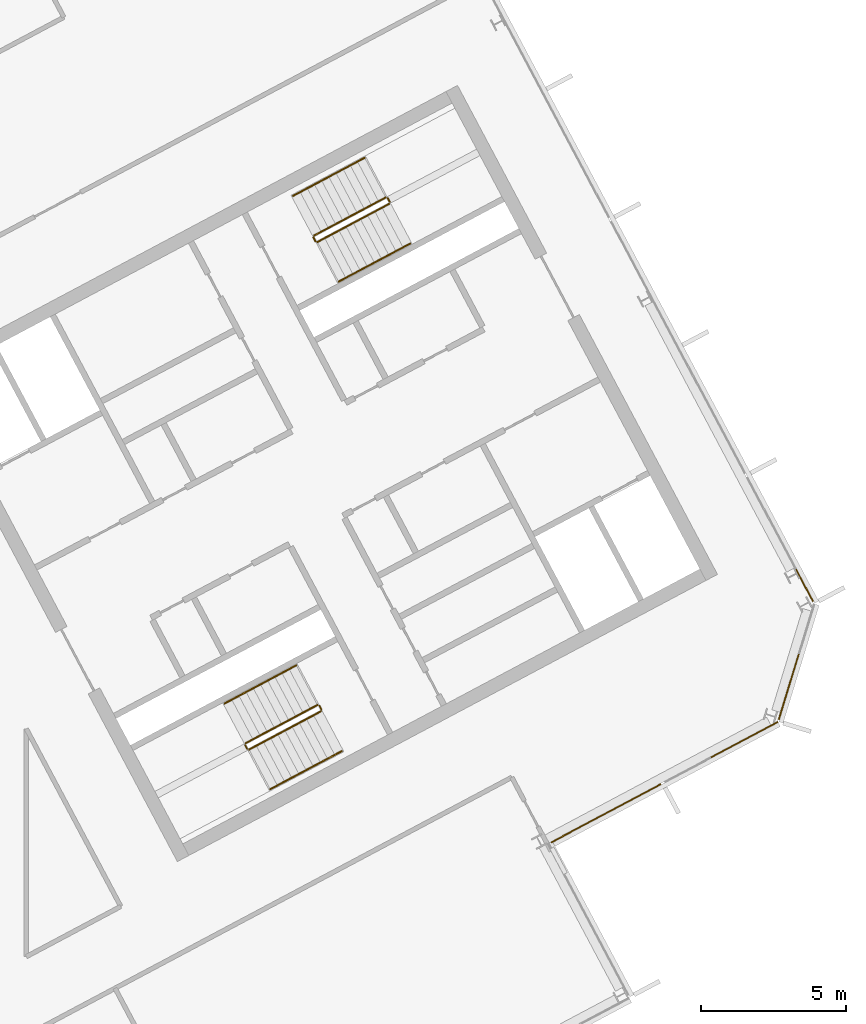
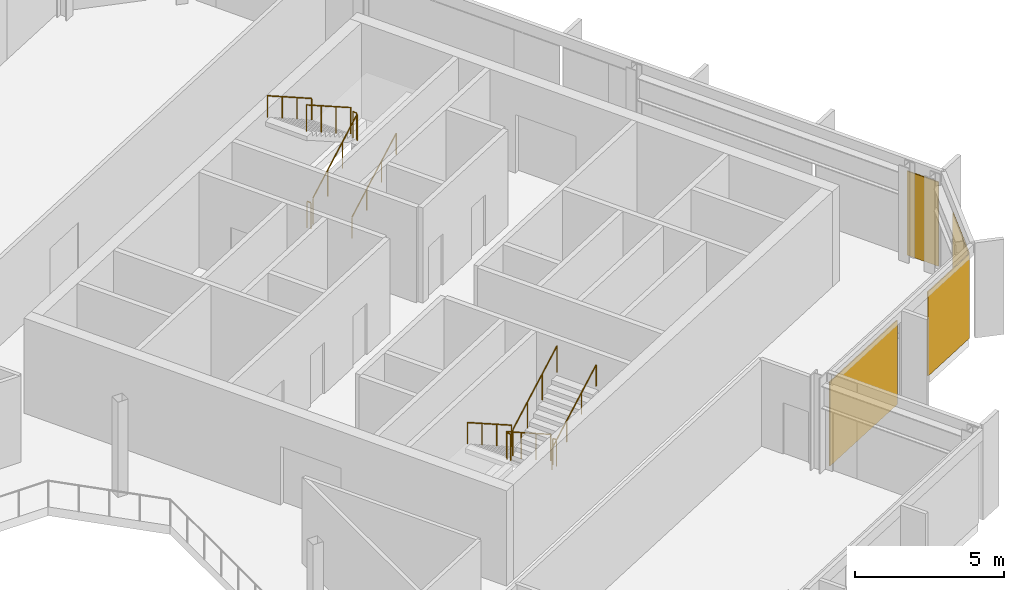
# One storey, part 24 of 25: 12 railings, 4 coverings, 3 elements without a shape of their own.
"""IFC4 building model written with IfcOpenShell, lengths in metres."""

from ifc_helpers import new_model, si_unit, direction, frame, origin, origin_2d, place, context, subcontext, project, spatial, polyline, rectangle, outline, extrude, material, layer, layer_set, type_object, element, aggregate, save


model = new_model("IFC4")

# Units and contexts
model_context = context("Model", 3, precision=1e-05, world=origin(), true_north=direction((0.0, 1.0)))
body_context = subcontext(model_context, "Body", "Model", "MODEL_VIEW")
ifc_project = project(units=[si_unit("LENGTHUNIT", "METRE"), si_unit("AREAUNIT", "SQUARE_METRE"), si_unit("VOLUMEUNIT", "CUBIC_METRE"), si_unit("PLANEANGLEUNIT", "RADIAN"), si_unit("MASSUNIT", "GRAM", prefix="KILO")], contexts=[model_context])

# Site, building, storey
site_placement = place(None, origin())
site = spatial("IfcSite", under=ifc_project, at=site_placement, CompositionType="ELEMENT")
building_placement = place(site_placement, origin())
building = spatial("IfcBuilding", under=site, at=building_placement, Name="Cormorant Relay Tower", CompositionType="ELEMENT")
storey_placement = place(building_placement, frame((0.0, 0.0, 297.0)))
storey = spatial("IfcBuildingStorey", under=building, at=storey_placement, Name="L67", CompositionType="ELEMENT", Elevation=297.0)

# Curtain wall, coverings
ifc_material_1 = material(Name="Aluminium 6063-T6 anodised bronze", Category="aluminium")
ifc_layer_1 = layer(ifc_material_1, 0.199951171875)
ifc_layer_set_1 = layer_set([ifc_layer_1], Name="CW1 unitised bronze curtain wall with vertical fins")
curtain_wall_type = type_object("IfcCurtainWallType", Name="CW1 unitised bronze curtain wall with vertical fins", PredefinedType="NOTDEFINED", material=ifc_layer_set_1)
curtain_wall_1_placement = place(storey_placement, origin())
curtain_wall_1 = element("IfcCurtainWall", 1, at=curtain_wall_1_placement, inside=storey, type_object=curtain_wall_type, Name="CW1 curtain wall 4", PredefinedType="NOTDEFINED")
ifc_material_2 = material(Name="Pale bronze anodised aluminium insulated panel", Category="aluminium")
ifc_layer_2 = layer(ifc_material_2, 0.0400390625)
ifc_layer_set_2 = layer_set([ifc_layer_2], Name="CW1 pale bronze insulated panel 40")
covering_type = type_object("IfcCoveringType", Name="CW1 pale bronze insulated panel 40", PredefinedType="CLADDING", material=ifc_layer_set_2)
covering_1_placement = place(storey_placement, frame((33.793701171875, 0.957275390625, 0.0), z_axis=(0.0, 0.0, 1.0), x_axis=(0.882947592859, 0.469471562786, 0.0)))
covering_1 = element("IfcCovering", 2, at=covering_1_placement, type_object=covering_type, Name="CW1 panel S00", PredefinedType="CLADDING", context=body_context, shape_type="SweptSolid", body=[
    extrude(rectangle(XDim=4.27490234375, YDim=0.0400390625, at=origin_2d()), origin(), (0.0, 0.0, 1.0), 3.449951171875),
])
covering_2_placement = place(storey_placement, frame((38.561767578125, 3.492431640625, 0.0), z_axis=(0.0, 0.0, 1.0), x_axis=(0.882947592859, 0.469471562786, 0.0)))
covering_2 = element("IfcCovering", 3, at=covering_2_placement, type_object=covering_type, Name="CW1 panel S02", PredefinedType="CLADDING", context=body_context, shape_type="SweptSolid", body=[
    extrude(rectangle(XDim=2.625, YDim=0.0400390625, at=origin_2d()), origin(), (0.0, 0.0, 1.0), 3.449951171875),
])
aggregate(curtain_wall_1, [covering_1, covering_2])

# Curtain wall, covering
curtain_wall_2_placement = place(storey_placement, origin())
curtain_wall_2 = element("IfcCurtainWall", 4, at=curtain_wall_2_placement, inside=storey, type_object=curtain_wall_type, Name="CW1 curtain wall 5", PredefinedType="NOTDEFINED")
covering_3_placement = place(storey_placement, frame((40.098388671875, 5.32421875, 0.0), z_axis=(0.0, 0.0, 1.0), x_axis=(0.292371704723, 0.956304755963, 0.0)))
covering_3 = element("IfcCovering", 5, at=covering_3_placement, type_object=covering_type, Name="CW1 panel S00", PredefinedType="CLADDING", context=body_context, shape_type="SweptSolid", body=[
    extrude(rectangle(XDim=2.36767578125, YDim=0.0400390625, at=origin_2d()), origin(), (0.0, 0.0, 1.0), 3.449951171875),
])
aggregate(curtain_wall_2, [covering_3])

curtain_wall_3_placement = place(storey_placement, origin())
curtain_wall_3 = element("IfcCurtainWall", 6, at=curtain_wall_3_placement, inside=storey, type_object=curtain_wall_type, Name="CW1 curtain wall 6", PredefinedType="NOTDEFINED")
covering_4_placement = place(storey_placement, frame((40.640625, 8.810791015625, 0.0), z_axis=(0.0, 0.0, 1.0), x_axis=(-0.469471562786, 0.882947592859, 0.0)))
covering_4 = element("IfcCovering", 7, at=covering_4_placement, type_object=covering_type, Name="CW1 panel S00", PredefinedType="CLADDING", context=body_context, shape_type="SweptSolid", body=[
    extrude(rectangle(XDim=1.25, YDim=0.0400390625, at=origin_2d()), origin(), (0.0, 0.0, 1.0), 3.449951171875),
])
aggregate(curtain_wall_3, [covering_4])

# Railings
ifc_material_3 = material(Name="Steel ASTM A572 Grade 50 (Fy 345 MPa)", Category="steel")
railing_type_1 = type_object("IfcRailingType", Name="Stair guard 1100", PredefinedType="GUARDRAIL", material=ifc_material_3)
railing_1_placement = place(storey_placement, frame((23.83837890625, 4.6904296875, 0.17724609375)))
element("IfcRailing", 8, at=railing_1_placement, inside=storey, type_object=railing_type_1, Name="L67 B1 stair guard 1", PredefinedType="GUARDRAIL", context=body_context, shape_type="SweptSolid", body=[
    extrude(outline(polyline([(0.022216796875, 0.00927734375), (0.00927734375, 0.022216796875), (-0.00927734375, 0.022216796875), (-0.022216796875, 0.00927734375), (-0.022216796875, -0.00927734375), (-0.00927734375, -0.022216796875), (0.00927734375, -0.022216796875), (0.022216796875, -0.00927734375), (0.022216796875, 0.00927734375)])), frame((0.0, 0.0, 1.076171875), z_axis=(-0.746033882577, -0.396627473466, 0.534901947407), x_axis=(0.469429322983, -0.882970050864, 0.0)), (0.0, 0.0, 1.0), 3.31396484375),
    extrude(outline(polyline([(0.019287109375, 0.008056640625), (0.008056640625, 0.019287109375), (-0.008056640625, 0.019287109375), (-0.019287109375, 0.008056640625), (-0.019287109375, -0.008056640625), (-0.008056640625, -0.019287109375), (0.008056640625, -0.019287109375), (0.019287109375, -0.008056640625), (0.019287109375, 0.008056640625)])), origin(), (0.0, 0.0, 1.0), 1.052001953125),
    extrude(outline(polyline([(0.019287109375, 0.008056640625), (0.008056640625, 0.019287109375), (-0.008056640625, 0.019287109375), (-0.019287109375, 0.008056640625), (-0.019287109375, -0.008056640625), (-0.008056640625, -0.019287109375), (0.008056640625, -0.019287109375), (0.019287109375, -0.008056640625), (0.019287109375, 0.008056640625)])), frame((-0.82421875, -0.438232421875, 0.5908203125)), (0.0, 0.0, 1.0), 1.052001953125),
    extrude(outline(polyline([(0.019287109375, 0.008056640625), (0.008056640625, 0.019287109375), (-0.008056640625, 0.019287109375), (-0.019287109375, 0.008056640625), (-0.019287109375, -0.008056640625), (-0.008056640625, -0.019287109375), (0.008056640625, -0.019287109375), (0.019287109375, -0.008056640625), (0.019287109375, 0.008056640625)])), frame((-1.648193359375, -0.876220703125, 1.181884765625)), (0.0, 0.0, 1.0), 1.052001953125),
    extrude(outline(polyline([(0.019287109375, 0.008056640625), (0.008056640625, 0.019287109375), (-0.008056640625, 0.019287109375), (-0.019287109375, 0.008056640625), (-0.019287109375, -0.008056640625), (-0.008056640625, -0.019287109375), (0.008056640625, -0.019287109375), (0.019287109375, -0.008056640625), (0.019287109375, 0.008056640625)])), frame((-2.472412109375, -1.314453125, 1.772705078125)), (0.0, 0.0, 1.0), 1.052001953125),
])
railing_2_placement = place(storey_placement, frame((21.345458984375, 3.308349609375, 1.949951171875)))
element("IfcRailing", 9, at=railing_2_placement, inside=storey, type_object=railing_type_1, Name="L67 B1 stair guard 2", PredefinedType="GUARDRAIL", context=body_context, shape_type="SweptSolid", body=[
    extrude(outline(polyline([(0.022216796875, 0.00927734375), (0.00927734375, 0.022216796875), (-0.00927734375, 0.022216796875), (-0.022216796875, 0.00927734375), (-0.022216796875, -0.00927734375), (-0.00927734375, -0.022216796875), (0.00927734375, -0.022216796875), (0.022216796875, -0.00927734375), (0.022216796875, 0.00927734375)])), frame((0.0, 0.0, 1.076171875), z_axis=(0.46856034887, -0.8834314911, 0.0), x_axis=(0.8834314911, 0.46856034887, 0.0)), (0.0, 0.0, 1.0), 0.150146484375),
    extrude(outline(polyline([(0.019287109375, 0.008056640625), (0.008056640625, 0.019287109375), (-0.008056640625, 0.019287109375), (-0.019287109375, 0.008056640625), (-0.019287109375, -0.008056640625), (-0.008056640625, -0.019287109375), (0.008056640625, -0.019287109375), (0.019287109375, -0.008056640625), (0.019287109375, 0.008056640625)])), origin(), (0.0, 0.0, 1.0), 1.052001953125),
    extrude(outline(polyline([(0.019287109375, 0.008056640625), (0.008056640625, 0.019287109375), (-0.008056640625, 0.019287109375), (-0.019287109375, 0.008056640625), (-0.019287109375, -0.008056640625), (-0.008056640625, -0.019287109375), (0.008056640625, -0.019287109375), (0.019287109375, -0.008056640625), (0.019287109375, 0.008056640625)])), frame((0.0703125, -0.132568359375, 0.0)), (0.0, 0.0, 1.0), 1.052001953125),
])
railing_3_placement = place(storey_placement, frame((21.4833984375, 3.1552734375, 2.127197265625)))
element("IfcRailing", 10, at=railing_3_placement, inside=storey, type_object=railing_type_1, Name="L67 B1 stair guard 3", PredefinedType="GUARDRAIL", context=body_context, shape_type="SweptSolid", body=[
    extrude(outline(polyline([(0.022216796875, 0.00927734375), (0.00927734375, 0.022216796875), (-0.00927734375, 0.022216796875), (-0.022216796875, 0.00927734375), (-0.022216796875, -0.00927734375), (-0.00927734375, -0.022216796875), (0.00927734375, -0.022216796875), (0.022216796875, -0.00927734375), (0.022216796875, 0.00927734375)])), frame((0.0, 0.0, 1.076171875), z_axis=(0.746001213114, 0.396649272309, 0.534931345884), x_axis=(-0.469465464807, 0.882950835185, 0.0)), (0.0, 0.0, 1.0), 3.31396484375),
    extrude(outline(polyline([(0.019287109375, 0.008056640625), (0.008056640625, 0.019287109375), (-0.008056640625, 0.019287109375), (-0.019287109375, 0.008056640625), (-0.019287109375, -0.008056640625), (-0.008056640625, -0.019287109375), (0.008056640625, -0.019287109375), (0.019287109375, -0.008056640625), (0.019287109375, 0.008056640625)])), origin(), (0.0, 0.0, 1.0), 1.052001953125),
    extrude(outline(polyline([(0.019287109375, 0.008056640625), (0.008056640625, 0.019287109375), (-0.008056640625, 0.019287109375), (-0.019287109375, 0.008056640625), (-0.019287109375, -0.008056640625), (-0.008056640625, -0.019287109375), (0.008056640625, -0.019287109375), (0.019287109375, -0.008056640625), (0.019287109375, 0.008056640625)])), frame((0.823974609375, 0.438232421875, 0.5908203125)), (0.0, 0.0, 1.0), 1.052001953125),
    extrude(outline(polyline([(0.019287109375, 0.008056640625), (0.008056640625, 0.019287109375), (-0.008056640625, 0.019287109375), (-0.019287109375, 0.008056640625), (-0.019287109375, -0.008056640625), (-0.008056640625, -0.019287109375), (0.008056640625, -0.019287109375), (0.019287109375, -0.008056640625), (0.019287109375, 0.008056640625)])), frame((1.648193359375, 0.876220703125, 1.181884765625)), (0.0, 0.0, 1.0), 1.052001953125),
    extrude(outline(polyline([(0.019287109375, 0.008056640625), (0.008056640625, 0.019287109375), (-0.008056640625, 0.019287109375), (-0.019287109375, 0.008056640625), (-0.019287109375, -0.008056640625), (-0.008056640625, -0.019287109375), (0.008056640625, -0.019287109375), (0.019287109375, -0.008056640625), (0.019287109375, 0.008056640625)])), frame((2.47216796875, 1.314453125, 1.772705078125)), (0.0, 0.0, 1.0), 1.052001953125),
])
railing_4_placement = place(storey_placement, frame((23.906005859375, 4.669677734375, 0.0)))
element("IfcRailing", 11, at=railing_4_placement, inside=storey, type_object=railing_type_1, Name="L67 B1 stair guard 4", PredefinedType="GUARDRAIL", context=body_context, shape_type="SweptSolid", body=[
    extrude(outline(polyline([(0.022216796875, 0.00927734375), (0.00927734375, 0.022216796875), (-0.00927734375, 0.022216796875), (-0.022216796875, 0.00927734375), (-0.022216796875, -0.00927734375), (-0.00927734375, -0.022216796875), (0.00927734375, -0.022216796875), (0.022216796875, -0.00927734375), (0.022216796875, 0.00927734375)])), frame((0.0, 0.0, 1.076171875), z_axis=(0.469234640946, -0.883073525669, 0.0), x_axis=(0.883073525669, 0.469234640946, 0.0)), (0.0, 0.0, 1.0), 0.14990234375),
    extrude(outline(polyline([(0.019287109375, 0.008056640625), (0.008056640625, 0.019287109375), (-0.008056640625, 0.019287109375), (-0.019287109375, 0.008056640625), (-0.019287109375, -0.008056640625), (-0.008056640625, -0.019287109375), (0.008056640625, -0.019287109375), (0.019287109375, -0.008056640625), (0.019287109375, 0.008056640625)])), origin(), (0.0, 0.0, 1.0), 1.052001953125),
    extrude(outline(polyline([(0.019287109375, 0.008056640625), (0.008056640625, 0.019287109375), (-0.008056640625, 0.019287109375), (-0.019287109375, 0.008056640625), (-0.019287109375, -0.008056640625), (-0.008056640625, -0.019287109375), (0.008056640625, -0.019287109375), (0.019287109375, -0.008056640625), (0.019287109375, 0.008056640625)])), frame((0.0703125, -0.13232421875, 0.0)), (0.0, 0.0, 1.0), 1.052001953125),
])
railing_5_placement = place(storey_placement, frame((23.8408203125, 20.6611328125, 0.17724609375)))
element("IfcRailing", 12, at=railing_5_placement, inside=storey, type_object=railing_type_1, Name="L67 B2 stair guard 1", PredefinedType="GUARDRAIL", context=body_context, shape_type="SweptSolid", body=[
    extrude(outline(polyline([(0.022216796875, 0.00927734375), (0.00927734375, 0.022216796875), (-0.00927734375, 0.022216796875), (-0.022216796875, 0.00927734375), (-0.022216796875, -0.00927734375), (-0.00927734375, -0.022216796875), (0.00927734375, -0.022216796875), (0.022216796875, -0.00927734375), (0.022216796875, 0.00927734375)])), frame((0.0, 0.0, 1.076171875), z_axis=(0.746033882577, 0.396627473466, 0.534901947407), x_axis=(-0.469429322983, 0.882970050864, 0.0)), (0.0, 0.0, 1.0), 3.31396484375),
    extrude(outline(polyline([(0.019287109375, 0.008056640625), (0.008056640625, 0.019287109375), (-0.008056640625, 0.019287109375), (-0.019287109375, 0.008056640625), (-0.019287109375, -0.008056640625), (-0.008056640625, -0.019287109375), (0.008056640625, -0.019287109375), (0.019287109375, -0.008056640625), (0.019287109375, 0.008056640625)])), origin(), (0.0, 0.0, 1.0), 1.052001953125),
    extrude(outline(polyline([(0.019287109375, 0.008056640625), (0.008056640625, 0.019287109375), (-0.008056640625, 0.019287109375), (-0.019287109375, 0.008056640625), (-0.019287109375, -0.008056640625), (-0.008056640625, -0.019287109375), (0.008056640625, -0.019287109375), (0.019287109375, -0.008056640625), (0.019287109375, 0.008056640625)])), frame((0.82421875, 0.438232421875, 0.5908203125)), (0.0, 0.0, 1.0), 1.052001953125),
    extrude(outline(polyline([(0.019287109375, 0.008056640625), (0.008056640625, 0.019287109375), (-0.008056640625, 0.019287109375), (-0.019287109375, 0.008056640625), (-0.019287109375, -0.008056640625), (-0.008056640625, -0.019287109375), (0.008056640625, -0.019287109375), (0.019287109375, -0.008056640625), (0.019287109375, 0.008056640625)])), frame((1.648193359375, 0.876220703125, 1.181884765625)), (0.0, 0.0, 1.0), 1.052001953125),
    extrude(outline(polyline([(0.019287109375, 0.008056640625), (0.008056640625, 0.019287109375), (-0.008056640625, 0.019287109375), (-0.019287109375, 0.008056640625), (-0.019287109375, -0.008056640625), (-0.008056640625, -0.019287109375), (0.008056640625, -0.019287109375), (0.019287109375, -0.008056640625), (0.019287109375, 0.008056640625)])), frame((2.472412109375, 1.314453125, 1.772705078125)), (0.0, 0.0, 1.0), 1.052001953125),
])
railing_6_placement = place(storey_placement, frame((26.333740234375, 22.043212890625, 1.949951171875)))
element("IfcRailing", 13, at=railing_6_placement, inside=storey, type_object=railing_type_1, Name="L67 B2 stair guard 2", PredefinedType="GUARDRAIL", context=body_context, shape_type="SweptSolid", body=[
    extrude(outline(polyline([(0.022216796875, 0.00927734375), (0.00927734375, 0.022216796875), (-0.00927734375, 0.022216796875), (-0.022216796875, 0.00927734375), (-0.022216796875, -0.00927734375), (-0.00927734375, -0.022216796875), (0.00927734375, -0.022216796875), (0.022216796875, -0.00927734375), (0.022216796875, 0.00927734375)])), frame((0.0, 0.0, 1.076171875), z_axis=(-0.469234640946, 0.883073525669, 0.0), x_axis=(-0.883073525669, -0.469234640946, 0.0)), (0.0, 0.0, 1.0), 0.14990234375),
    extrude(outline(polyline([(0.019287109375, 0.008056640625), (0.008056640625, 0.019287109375), (-0.008056640625, 0.019287109375), (-0.019287109375, 0.008056640625), (-0.019287109375, -0.008056640625), (-0.008056640625, -0.019287109375), (0.008056640625, -0.019287109375), (0.019287109375, -0.008056640625), (0.019287109375, 0.008056640625)])), origin(), (0.0, 0.0, 1.0), 1.052001953125),
    extrude(outline(polyline([(0.019287109375, 0.008056640625), (0.008056640625, 0.019287109375), (-0.008056640625, 0.019287109375), (-0.019287109375, 0.008056640625), (-0.019287109375, -0.008056640625), (-0.008056640625, -0.019287109375), (0.008056640625, -0.019287109375), (0.019287109375, -0.008056640625), (0.019287109375, 0.008056640625)])), frame((-0.0703125, 0.13232421875, 0.0)), (0.0, 0.0, 1.0), 1.052001953125),
])
railing_7_placement = place(storey_placement, frame((26.19580078125, 22.1962890625, 2.127197265625)))
element("IfcRailing", 14, at=railing_7_placement, inside=storey, type_object=railing_type_1, Name="L67 B2 stair guard 3", PredefinedType="GUARDRAIL", context=body_context, shape_type="SweptSolid", body=[
    extrude(outline(polyline([(0.022216796875, 0.00927734375), (0.00927734375, 0.022216796875), (-0.00927734375, 0.022216796875), (-0.022216796875, 0.00927734375), (-0.022216796875, -0.00927734375), (-0.00927734375, -0.022216796875), (0.00927734375, -0.022216796875), (0.022216796875, -0.00927734375), (0.022216796875, 0.00927734375)])), frame((0.0, 0.0, 1.076171875), z_axis=(-0.746033882577, -0.396627473466, 0.534901947407), x_axis=(0.469429322983, -0.882970050864, 0.0)), (0.0, 0.0, 1.0), 3.31396484375),
    extrude(outline(polyline([(0.019287109375, 0.008056640625), (0.008056640625, 0.019287109375), (-0.008056640625, 0.019287109375), (-0.019287109375, 0.008056640625), (-0.019287109375, -0.008056640625), (-0.008056640625, -0.019287109375), (0.008056640625, -0.019287109375), (0.019287109375, -0.008056640625), (0.019287109375, 0.008056640625)])), origin(), (0.0, 0.0, 1.0), 1.052001953125),
    extrude(outline(polyline([(0.019287109375, 0.008056640625), (0.008056640625, 0.019287109375), (-0.008056640625, 0.019287109375), (-0.019287109375, 0.008056640625), (-0.019287109375, -0.008056640625), (-0.008056640625, -0.019287109375), (0.008056640625, -0.019287109375), (0.019287109375, -0.008056640625), (0.019287109375, 0.008056640625)])), frame((-0.82421875, -0.438232421875, 0.5908203125)), (0.0, 0.0, 1.0), 1.052001953125),
    extrude(outline(polyline([(0.019287109375, 0.008056640625), (0.008056640625, 0.019287109375), (-0.008056640625, 0.019287109375), (-0.019287109375, 0.008056640625), (-0.019287109375, -0.008056640625), (-0.008056640625, -0.019287109375), (0.008056640625, -0.019287109375), (0.019287109375, -0.008056640625), (0.019287109375, 0.008056640625)])), frame((-1.648193359375, -0.876220703125, 1.181884765625)), (0.0, 0.0, 1.0), 1.052001953125),
    extrude(outline(polyline([(0.019287109375, 0.008056640625), (0.008056640625, 0.019287109375), (-0.008056640625, 0.019287109375), (-0.019287109375, 0.008056640625), (-0.019287109375, -0.008056640625), (-0.008056640625, -0.019287109375), (0.008056640625, -0.019287109375), (0.019287109375, -0.008056640625), (0.019287109375, 0.008056640625)])), frame((-2.472412109375, -1.314453125, 1.772705078125)), (0.0, 0.0, 1.0), 1.052001953125),
])
railing_8_placement = place(storey_placement, frame((23.773193359375, 20.681640625, 0.0)))
element("IfcRailing", 15, at=railing_8_placement, inside=storey, type_object=railing_type_1, Name="L67 B2 stair guard 4", PredefinedType="GUARDRAIL", context=body_context, shape_type="SweptSolid", body=[
    extrude(outline(polyline([(0.022216796875, 0.00927734375), (0.00927734375, 0.022216796875), (-0.00927734375, 0.022216796875), (-0.022216796875, 0.00927734375), (-0.022216796875, -0.00927734375), (-0.00927734375, -0.022216796875), (0.00927734375, -0.022216796875), (0.022216796875, -0.00927734375), (0.022216796875, 0.00927734375)])), frame((0.0, 0.0, 1.076171875), z_axis=(-0.46856034887, 0.8834314911, 0.0), x_axis=(-0.8834314911, -0.46856034887, 0.0)), (0.0, 0.0, 1.0), 0.150146484375),
    extrude(outline(polyline([(0.019287109375, 0.008056640625), (0.008056640625, 0.019287109375), (-0.008056640625, 0.019287109375), (-0.019287109375, 0.008056640625), (-0.019287109375, -0.008056640625), (-0.008056640625, -0.019287109375), (0.008056640625, -0.019287109375), (0.019287109375, -0.008056640625), (0.019287109375, 0.008056640625)])), origin(), (0.0, 0.0, 1.0), 1.052001953125),
    extrude(outline(polyline([(0.019287109375, 0.008056640625), (0.008056640625, 0.019287109375), (-0.008056640625, 0.019287109375), (-0.019287109375, 0.008056640625), (-0.019287109375, -0.008056640625), (-0.008056640625, -0.019287109375), (0.008056640625, -0.019287109375), (0.019287109375, -0.008056640625), (0.019287109375, 0.008056640625)])), frame((-0.0703125, 0.132568359375, 0.0)), (0.0, 0.0, 1.0), 1.052001953125),
])
ifc_material_4 = material(Name="Steel ASTM A572 Grade 50 (Fy 345 MPa)", Category="steel")
railing_type_2 = type_object("IfcRailingType", Name="Stair handrail 900", PredefinedType="HANDRAIL", material=ifc_material_4)
railing_9_placement = place(storey_placement, frame((23.110595703125, 6.05908203125, 0.17724609375)))
element("IfcRailing", 16, at=railing_9_placement, inside=storey, type_object=railing_type_2, Name="L67 B1 stair handrail 1", PredefinedType="HANDRAIL", context=body_context, shape_type="SweptSolid", body=[
    extrude(outline(polyline([(0.022216796875, 0.00927734375), (0.00927734375, 0.022216796875), (-0.00927734375, 0.022216796875), (-0.022216796875, 0.00927734375), (-0.022216796875, -0.00927734375), (-0.00927734375, -0.022216796875), (0.00927734375, -0.022216796875), (0.022216796875, -0.00927734375), (0.022216796875, 0.00927734375)])), frame((0.0, 0.0, 0.8759765625), z_axis=(-0.745979412481, -0.396711350603, 0.534915713414), x_axis=(0.469533439143, -0.882914689835, 0.0)), (0.0, 0.0, 1.0), 3.31396484375),
    extrude(outline(polyline([(0.019287109375, 0.008056640625), (0.008056640625, 0.019287109375), (-0.008056640625, 0.019287109375), (-0.019287109375, 0.008056640625), (-0.019287109375, -0.008056640625), (-0.008056640625, -0.019287109375), (0.008056640625, -0.019287109375), (0.019287109375, -0.008056640625), (0.019287109375, 0.008056640625)])), origin(), (0.0, 0.0, 1.0), 0.851806640625),
    extrude(outline(polyline([(0.019287109375, 0.008056640625), (0.008056640625, 0.019287109375), (-0.008056640625, 0.019287109375), (-0.019287109375, 0.008056640625), (-0.019287109375, -0.008056640625), (-0.008056640625, -0.019287109375), (0.008056640625, -0.019287109375), (0.019287109375, -0.008056640625), (0.019287109375, 0.008056640625)])), frame((-0.823974609375, -0.438232421875, 0.5908203125)), (0.0, 0.0, 1.0), 0.851806640625),
    extrude(outline(polyline([(0.019287109375, 0.008056640625), (0.008056640625, 0.019287109375), (-0.008056640625, 0.019287109375), (-0.019287109375, 0.008056640625), (-0.019287109375, -0.008056640625), (-0.008056640625, -0.019287109375), (0.008056640625, -0.019287109375), (0.019287109375, -0.008056640625), (0.019287109375, 0.008056640625)])), frame((-1.648193359375, -0.87646484375, 1.181884765625)), (0.0, 0.0, 1.0), 0.851806640625),
    extrude(outline(polyline([(0.019287109375, 0.008056640625), (0.008056640625, 0.019287109375), (-0.008056640625, 0.019287109375), (-0.019287109375, 0.008056640625), (-0.019287109375, -0.008056640625), (-0.008056640625, -0.019287109375), (0.008056640625, -0.019287109375), (0.019287109375, -0.008056640625), (0.019287109375, 0.008056640625)])), frame((-2.47216796875, -1.314697265625, 1.772705078125)), (0.0, 0.0, 1.0), 0.851806640625),
])
railing_10_placement = place(storey_placement, frame((22.211181640625, 1.78662109375, 2.127197265625)))
element("IfcRailing", 17, at=railing_10_placement, inside=storey, type_object=railing_type_2, Name="L67 B1 stair handrail 2", PredefinedType="HANDRAIL", context=body_context, shape_type="SweptSolid", body=[
    extrude(outline(polyline([(0.022216796875, 0.00927734375), (0.00927734375, 0.022216796875), (-0.00927734375, 0.022216796875), (-0.022216796875, 0.00927734375), (-0.022216796875, -0.00927734375), (-0.00927734375, -0.022216796875), (0.00927734375, -0.022216796875), (0.022216796875, -0.00927734375), (0.022216796875, 0.00927734375)])), frame((0.0, 0.0, 0.8759765625), z_axis=(0.746001213114, 0.396649272309, 0.534931345884), x_axis=(-0.469465464807, 0.882950835185, 0.0)), (0.0, 0.0, 1.0), 3.31396484375),
    extrude(outline(polyline([(0.019287109375, 0.008056640625), (0.008056640625, 0.019287109375), (-0.008056640625, 0.019287109375), (-0.019287109375, 0.008056640625), (-0.019287109375, -0.008056640625), (-0.008056640625, -0.019287109375), (0.008056640625, -0.019287109375), (0.019287109375, -0.008056640625), (0.019287109375, 0.008056640625)])), origin(), (0.0, 0.0, 1.0), 0.851806640625),
    extrude(outline(polyline([(0.019287109375, 0.008056640625), (0.008056640625, 0.019287109375), (-0.008056640625, 0.019287109375), (-0.019287109375, 0.008056640625), (-0.019287109375, -0.008056640625), (-0.008056640625, -0.019287109375), (0.008056640625, -0.019287109375), (0.019287109375, -0.008056640625), (0.019287109375, 0.008056640625)])), frame((0.823974609375, 0.438232421875, 0.5908203125)), (0.0, 0.0, 1.0), 0.851806640625),
    extrude(outline(polyline([(0.019287109375, 0.008056640625), (0.008056640625, 0.019287109375), (-0.008056640625, 0.019287109375), (-0.019287109375, 0.008056640625), (-0.019287109375, -0.008056640625), (-0.008056640625, -0.019287109375), (0.008056640625, -0.019287109375), (0.019287109375, -0.008056640625), (0.019287109375, 0.008056640625)])), frame((1.648193359375, 0.876220703125, 1.181884765625)), (0.0, 0.0, 1.0), 0.851806640625),
    extrude(outline(polyline([(0.019287109375, 0.008056640625), (0.008056640625, 0.019287109375), (-0.008056640625, 0.019287109375), (-0.019287109375, 0.008056640625), (-0.019287109375, -0.008056640625), (-0.008056640625, -0.019287109375), (0.008056640625, -0.019287109375), (0.019287109375, -0.008056640625), (0.019287109375, 0.008056640625)])), frame((2.47216796875, 1.314453125, 1.772705078125)), (0.0, 0.0, 1.0), 0.851806640625),
])
railing_11_placement = place(storey_placement, frame((24.568603515625, 19.29248046875, 0.17724609375)))
element("IfcRailing", 18, at=railing_11_placement, inside=storey, type_object=railing_type_2, Name="L67 B2 stair handrail 1", PredefinedType="HANDRAIL", context=body_context, shape_type="SweptSolid", body=[
    extrude(outline(polyline([(0.022216796875, 0.00927734375), (0.00927734375, 0.022216796875), (-0.00927734375, 0.022216796875), (-0.022216796875, 0.00927734375), (-0.022216796875, -0.00927734375), (-0.00927734375, -0.022216796875), (0.00927734375, -0.022216796875), (0.022216796875, -0.00927734375), (0.022216796875, 0.00927734375)])), frame((0.0, 0.0, 0.8759765625), z_axis=(0.746001213114, 0.396649272309, 0.534931345884), x_axis=(-0.469465464807, 0.882950835185, 0.0)), (0.0, 0.0, 1.0), 3.31396484375),
    extrude(outline(polyline([(0.019287109375, 0.008056640625), (0.008056640625, 0.019287109375), (-0.008056640625, 0.019287109375), (-0.019287109375, 0.008056640625), (-0.019287109375, -0.008056640625), (-0.008056640625, -0.019287109375), (0.008056640625, -0.019287109375), (0.019287109375, -0.008056640625), (0.019287109375, 0.008056640625)])), origin(), (0.0, 0.0, 1.0), 0.851806640625),
    extrude(outline(polyline([(0.019287109375, 0.008056640625), (0.008056640625, 0.019287109375), (-0.008056640625, 0.019287109375), (-0.019287109375, 0.008056640625), (-0.019287109375, -0.008056640625), (-0.008056640625, -0.019287109375), (0.008056640625, -0.019287109375), (0.019287109375, -0.008056640625), (0.019287109375, 0.008056640625)])), frame((0.823974609375, 0.438232421875, 0.5908203125)), (0.0, 0.0, 1.0), 0.851806640625),
    extrude(outline(polyline([(0.019287109375, 0.008056640625), (0.008056640625, 0.019287109375), (-0.008056640625, 0.019287109375), (-0.019287109375, 0.008056640625), (-0.019287109375, -0.008056640625), (-0.008056640625, -0.019287109375), (0.008056640625, -0.019287109375), (0.019287109375, -0.008056640625), (0.019287109375, 0.008056640625)])), frame((1.648193359375, 0.876220703125, 1.181884765625)), (0.0, 0.0, 1.0), 0.851806640625),
    extrude(outline(polyline([(0.019287109375, 0.008056640625), (0.008056640625, 0.019287109375), (-0.008056640625, 0.019287109375), (-0.019287109375, 0.008056640625), (-0.019287109375, -0.008056640625), (-0.008056640625, -0.019287109375), (0.008056640625, -0.019287109375), (0.019287109375, -0.008056640625), (0.019287109375, 0.008056640625)])), frame((2.47216796875, 1.314453125, 1.772705078125)), (0.0, 0.0, 1.0), 0.851806640625),
])
railing_12_placement = place(storey_placement, frame((25.468017578125, 23.56494140625, 2.127197265625)))
element("IfcRailing", 19, at=railing_12_placement, inside=storey, type_object=railing_type_2, Name="L67 B2 stair handrail 2", PredefinedType="HANDRAIL", context=body_context, shape_type="SweptSolid", body=[
    extrude(outline(polyline([(0.022216796875, 0.00927734375), (0.00927734375, 0.022216796875), (-0.00927734375, 0.022216796875), (-0.022216796875, 0.00927734375), (-0.022216796875, -0.00927734375), (-0.00927734375, -0.022216796875), (0.00927734375, -0.022216796875), (0.022216796875, -0.00927734375), (0.022216796875, 0.00927734375)])), frame((0.0, 0.0, 0.8759765625), z_axis=(-0.745979412481, -0.396711350603, 0.534915713414), x_axis=(0.469533439143, -0.882914689835, 0.0)), (0.0, 0.0, 1.0), 3.31396484375),
    extrude(outline(polyline([(0.019287109375, 0.008056640625), (0.008056640625, 0.019287109375), (-0.008056640625, 0.019287109375), (-0.019287109375, 0.008056640625), (-0.019287109375, -0.008056640625), (-0.008056640625, -0.019287109375), (0.008056640625, -0.019287109375), (0.019287109375, -0.008056640625), (0.019287109375, 0.008056640625)])), origin(), (0.0, 0.0, 1.0), 0.851806640625),
    extrude(outline(polyline([(0.019287109375, 0.008056640625), (0.008056640625, 0.019287109375), (-0.008056640625, 0.019287109375), (-0.019287109375, 0.008056640625), (-0.019287109375, -0.008056640625), (-0.008056640625, -0.019287109375), (0.008056640625, -0.019287109375), (0.019287109375, -0.008056640625), (0.019287109375, 0.008056640625)])), frame((-0.823974609375, -0.438232421875, 0.5908203125)), (0.0, 0.0, 1.0), 0.851806640625),
    extrude(outline(polyline([(0.019287109375, 0.008056640625), (0.008056640625, 0.019287109375), (-0.008056640625, 0.019287109375), (-0.019287109375, 0.008056640625), (-0.019287109375, -0.008056640625), (-0.008056640625, -0.019287109375), (0.008056640625, -0.019287109375), (0.019287109375, -0.008056640625), (0.019287109375, 0.008056640625)])), frame((-1.648193359375, -0.87646484375, 1.181884765625)), (0.0, 0.0, 1.0), 0.851806640625),
    extrude(outline(polyline([(0.019287109375, 0.008056640625), (0.008056640625, 0.019287109375), (-0.008056640625, 0.019287109375), (-0.019287109375, 0.008056640625), (-0.019287109375, -0.008056640625), (-0.008056640625, -0.019287109375), (0.008056640625, -0.019287109375), (0.019287109375, -0.008056640625), (0.019287109375, 0.008056640625)])), frame((-2.47216796875, -1.314697265625, 1.772705078125)), (0.0, 0.0, 1.0), 0.851806640625),
])

save(model, "model.ifc")
